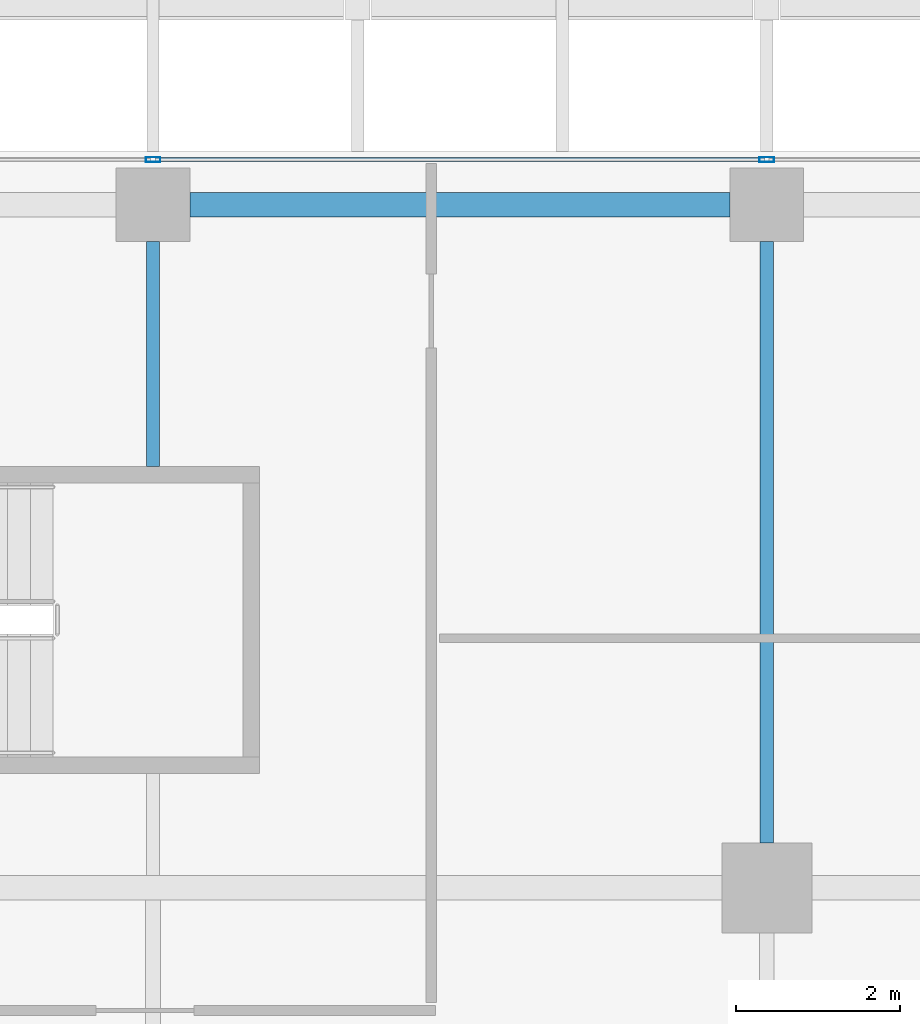
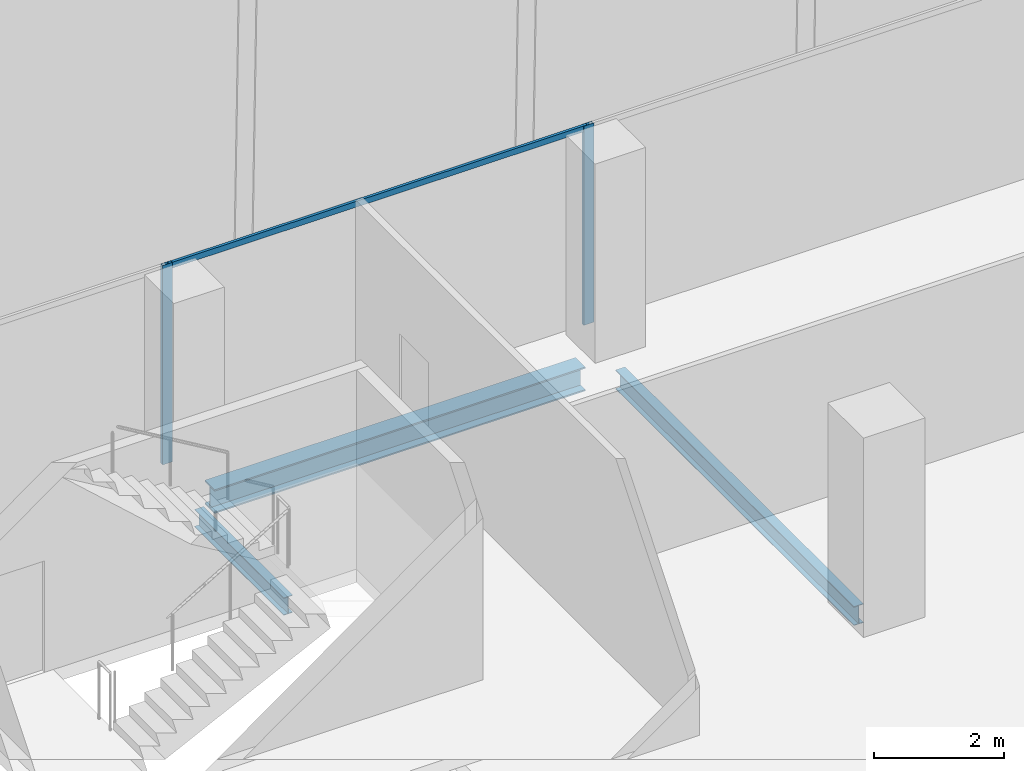
# One storey, part 17 of 35: 3 beams, 3 members, 1 element without a shape of its own.
"""IFC4 building model written with IfcOpenShell, lengths in metres."""

from ifc_helpers import new_model, si_unit, direction, frame, origin, origin_2d, place, context, subcontext, project, spatial, hollow_rectangle, i_section, extrude, source, transform, mapped, material, material_profile, profile_set, type_object, element, aggregate, save


model = new_model("IFC4")

# Units and contexts
model_context = context("Model", 3, precision=1e-05, world=origin(), true_north=direction((0.0, 1.0)))
body_context = subcontext(model_context, "Body", "Model", "MODEL_VIEW")
ifc_project = project(units=[si_unit("LENGTHUNIT", "METRE"), si_unit("AREAUNIT", "SQUARE_METRE"), si_unit("VOLUMEUNIT", "CUBIC_METRE"), si_unit("PLANEANGLEUNIT", "RADIAN"), si_unit("MASSUNIT", "GRAM", prefix="KILO")], contexts=[model_context])

# Site, building, storey
site_placement = place(None, origin())
site = spatial("IfcSite", under=ifc_project, at=site_placement, CompositionType="ELEMENT")
building_placement = place(site_placement, origin())
building = spatial("IfcBuilding", under=site, at=building_placement, Name="Khomas Fold Tower", CompositionType="ELEMENT")
storey_placement = place(building_placement, frame((0.0, 0.0, 246.199951171875)))
storey = spatial("IfcBuildingStorey", under=building, at=storey_placement, Name="L55", CompositionType="ELEMENT", Elevation=246.199951171875)

# Beams
ifc_material_1 = material(Name="Steel S355", Category="steel")
ifc_material_profile_1 = material_profile(ifc_material_1, i_section(OverallWidth=0.159912109375, OverallDepth=0.330078125, WebThickness=0.007568359375, FlangeThickness=0.011474609375, at=origin_2d()), Name="IPE 330")
ifc_profile_set_1 = profile_set([ifc_material_profile_1], Name="Steel S355")
beam_type_1 = type_object("IfcBeamType", Name="IPE 330 beam JB1", PredefinedType="BEAM", material=ifc_profile_set_1)
shared_shape_1 = source(origin(), body_context, "Body", "SweptSolid", [
    extrude(i_section(OverallWidth=0.159912109375, OverallDepth=0.330078125, WebThickness=0.007568359375, FlangeThickness=0.011474609375, at=origin_2d()), origin(), (0.0, 0.0, 1.0), 2.75),
])
beam_1_placement = place(storey_placement, frame((27.0, 45.64990234375, -0.4150390625), z_axis=(0.0, 1.0, 0.0), x_axis=(-1.0, 0.0, 0.0)))
element("IfcBeam", 1, at=beam_1_placement, inside=storey, type_object=beam_type_1, Name="JB1", PredefinedType="BEAM", context=body_context, shape_type="MappedRepresentation", body=[
    mapped(shared_shape_1, transform((0.0, 0.0, 0.0))),
])
ifc_material_2 = material(Name="Steel S355", Category="steel")
ifc_material_profile_2 = material_profile(ifc_material_2, i_section(OverallWidth=0.300048828125, OverallDepth=0.449951171875, WebThickness=0.013916015625, FlangeThickness=0.02587890625, at=origin_2d()), Name="HE 450 B")
ifc_profile_set_2 = profile_set([ifc_material_profile_2], Name="Steel S355")
beam_type_2 = type_object("IfcBeamType", Name="HE 450 B spandrel SB4", PredefinedType="SPANDREL", material=ifc_profile_set_2)
shared_shape_2 = source(origin(), body_context, "Body", "SweptSolid", [
    extrude(i_section(OverallWidth=0.300048828125, OverallDepth=0.449951171875, WebThickness=0.013916015625, FlangeThickness=0.02587890625, at=origin_2d()), origin(), (0.0, 0.0, 1.0), 6.60009765625),
])
beam_2_placement = place(storey_placement, frame((27.449951171875, 48.85009765625, -0.474853515625), z_axis=(1.0, 0.0, 0.0), x_axis=(0.0, 1.0, 0.0)))
element("IfcBeam", 2, at=beam_2_placement, inside=storey, type_object=beam_type_2, Name="SB4", PredefinedType="SPANDREL", context=body_context, shape_type="MappedRepresentation", body=[
    mapped(shared_shape_2, transform((0.0, 0.0, 0.0))),
])
ifc_material_3 = material(Name="Steel S355", Category="steel")
ifc_material_profile_3 = material_profile(ifc_material_3, i_section(OverallWidth=0.169921875, OverallDepth=0.360107421875, WebThickness=0.008056640625, FlangeThickness=0.0126953125, at=origin_2d()), Name="IPE 360")
ifc_profile_set_3 = profile_set([ifc_material_profile_3], Name="Steel S355")
beam_type_3 = type_object("IfcBeamType", Name="IPE 360 beam JB2", PredefinedType="BEAM", material=ifc_profile_set_3)
shared_shape_3 = source(origin(), body_context, "Body", "SweptSolid", [
    extrude(i_section(OverallWidth=0.169921875, OverallDepth=0.360107421875, WebThickness=0.008056640625, FlangeThickness=0.0126953125, at=origin_2d()), origin(), (0.0, 0.0, 1.0), 7.349853515625),
])
beam_3_placement = place(storey_placement, frame((34.5, 41.050048828125, -0.429931640625), z_axis=(0.0, 1.0, 0.0), x_axis=(-1.0, 0.0, 0.0)))
element("IfcBeam", 3, at=beam_3_placement, inside=storey, type_object=beam_type_3, Name="JB2", PredefinedType="BEAM", context=body_context, shape_type="MappedRepresentation", body=[
    mapped(shared_shape_3, transform((0.0, 0.0, 0.0))),
])

# Curtain wall, members
ifc_material_4 = material(Name="Aluminium framed double glazing", Category="aluminium")
curtain_wall_type = type_object("IfcCurtainWallType", Name="SK-Unitised clear-glass wall, office floors CW2", PredefinedType="NOTDEFINED", material=ifc_material_4)
curtain_wall_placement = place(storey_placement, origin())
curtain_wall = element("IfcCurtainWall", 4, at=curtain_wall_placement, inside=storey, type_object=curtain_wall_type, Name="CW2 run L55 06-0", PredefinedType="NOTDEFINED")
ifc_material_5 = material(Name="Aluminium", Category="aluminium")
ifc_material_profile_4 = material_profile(ifc_material_5, hollow_rectangle(XDim=0.06005859375, YDim=0.179931640625, WallThickness=0.00390625, at=origin_2d()), Name="SK-Unitised clear-glass wall, office floors mullion CW2-M")
ifc_profile_set_4 = profile_set([ifc_material_profile_4], Name="Aluminium")
member_type_1 = type_object("IfcMemberType", Name="SK-Unitised clear-glass wall, office floors mullion CW2-M", PredefinedType="MULLION", material=ifc_profile_set_4)
shared_shape_4 = source(origin(), body_context, "Body", "SweptSolid", [
    extrude(hollow_rectangle(XDim=0.06005859375, YDim=0.179931640625, WallThickness=0.00390625, at=origin_2d()), origin(), (0.0, 0.0, 1.0), 3.75),
])
member_1_placement = place(storey_placement, frame((34.5, 49.39990234375, 0.0), z_axis=(0.0, 0.0, 1.0), x_axis=(0.0, -1.0, 0.0)))
member_1 = element("IfcMember", 5, at=member_1_placement, type_object=member_type_1, Name="CW2 mullion 3", PredefinedType="MULLION", context=body_context, shape_type="MappedRepresentation", body=[
    mapped(shared_shape_4, transform((0.0, 0.0, 0.0))),
])
member_2_placement = place(storey_placement, frame((27.0, 49.39990234375, 0.0), z_axis=(0.0, 0.0, 1.0), x_axis=(0.0, -1.0, 0.0)))
member_2 = element("IfcMember", 6, at=member_2_placement, type_object=member_type_1, Name="CW2 mullion 4", PredefinedType="MULLION", context=body_context, shape_type="MappedRepresentation", body=[
    mapped(shared_shape_4, transform((0.0, 0.0, 0.0))),
])
ifc_material_6 = material(Name="Aluminium", Category="aluminium")
ifc_material_profile_5 = material_profile(ifc_material_6, hollow_rectangle(XDim=0.050048828125, YDim=0.110107421875, WallThickness=0.00390625, at=origin_2d()), Name="SK-Unitised clear-glass wall, office floors transom CW2-T")
ifc_profile_set_5 = profile_set([ifc_material_profile_5], Name="Aluminium")
member_type_2 = type_object("IfcMemberType", Name="SK-Unitised clear-glass wall, office floors transom CW2-T", PredefinedType="USERDEFINED", material=ifc_profile_set_5)
shared_shape_5 = source(origin(), body_context, "Body", "SweptSolid", [
    extrude(hollow_rectangle(XDim=0.050048828125, YDim=0.110107421875, WallThickness=0.00390625, at=origin_2d()), origin(), (0.0, 0.0, 1.0), 7.43994140625),
])
member_3_placement = place(storey_placement, frame((34.469970703125, 49.39990234375, 3.695068359375), z_axis=(-1.0, 0.0, 0.0), x_axis=(0.0, -1.0, 0.0)))
member_3 = element("IfcMember", 7, at=member_3_placement, type_object=member_type_2, Name="CW2 transom 3", ObjectType="TRANSOM", PredefinedType="USERDEFINED", context=body_context, shape_type="MappedRepresentation", body=[
    mapped(shared_shape_5, transform((0.0, 0.0, 0.0))),
])
aggregate(curtain_wall, [member_1, member_2, member_3])

save(model, "model.ifc")
